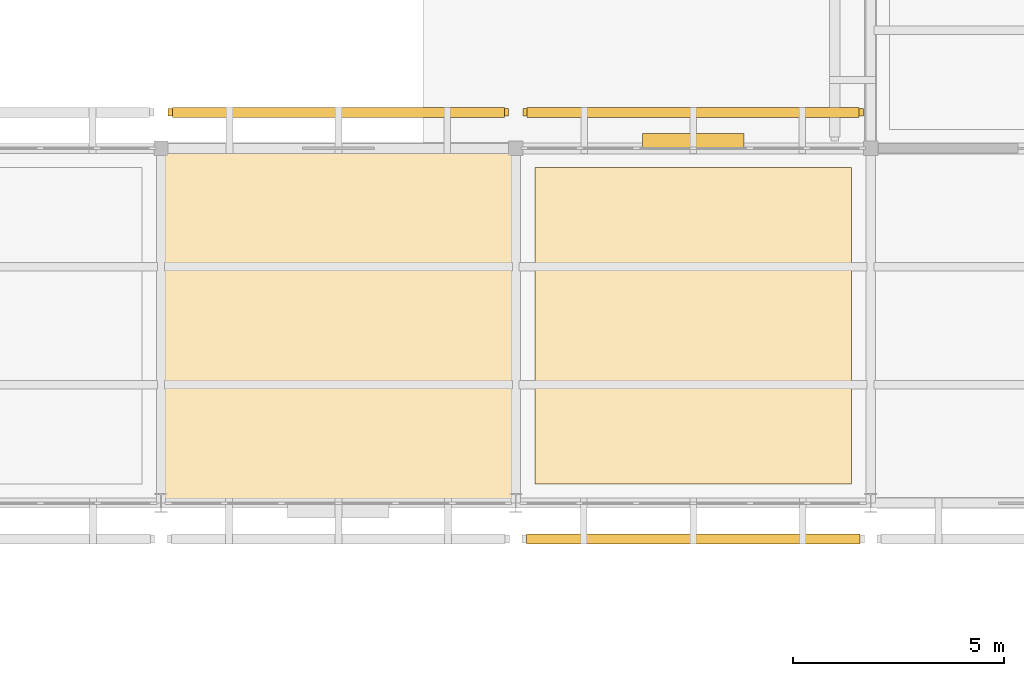
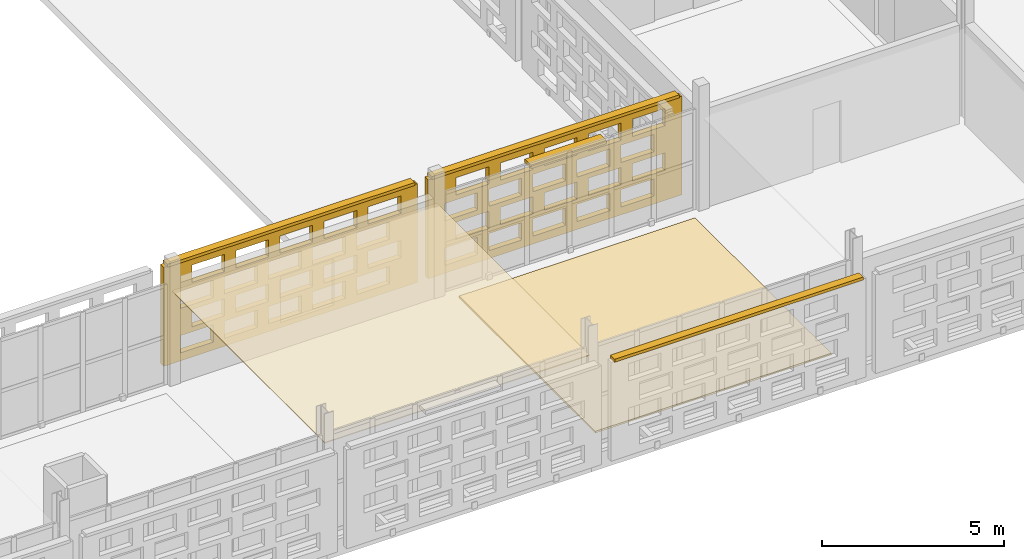
# One storey, part 124 of 140: 4 coverings, 4 shading devices, 40 openings.
"""IFC4 building model written with IfcOpenShell, lengths in metres."""

from ifc_helpers import new_model, si_unit, direction, frame, frame_2d, origin, origin_2d, place, context, subcontext, project, spatial, rectangle, extrude, material, layer, layer_set, type_object, element, save


model = new_model("IFC4")

# Units and contexts
model_context = context("Model", 3, precision=1e-05, world=origin(), true_north=direction((0.0, 1.0)))
body_context = subcontext(model_context, "Body", "Model", "MODEL_VIEW")
ifc_project = project(units=[si_unit("LENGTHUNIT", "METRE"), si_unit("AREAUNIT", "SQUARE_METRE"), si_unit("VOLUMEUNIT", "CUBIC_METRE"), si_unit("PLANEANGLEUNIT", "RADIAN"), si_unit("MASSUNIT", "GRAM", prefix="KILO")], contexts=[model_context])

# Site, building, storey
site_placement = place(None, origin())
site = spatial("IfcSite", under=ifc_project, at=site_placement, CompositionType="ELEMENT")
building_placement = place(site_placement, origin())
building = spatial("IfcBuilding", under=site, at=building_placement, Name="Varnapada Polytechnic", CompositionType="ELEMENT")
storey_placement = place(building_placement, frame((0.0, 0.0, 13.800048828125)))
storey = spatial("IfcBuildingStorey", under=building, at=storey_placement, Name="L03", CompositionType="ELEMENT", Elevation=13.800048828125)

# Covering
ifc_material_1 = material(Name="Anti-Static Raised Laboratory Flooring")
ifc_layer_1 = layer(ifc_material_1, 0.06005859375)
ifc_layer_set_1 = layer_set([ifc_layer_1], Name="Anti-Static Raised Laboratory Flooring")
covering_type_1 = type_object("IfcCoveringType", Name="Floor Finish FLR-02", PredefinedType="FLOORING", material=ifc_layer_set_1)
covering_1_placement = place(storey_placement, frame((121.800048828125, 88.199951171875, 0.0), z_axis=(0.0, 0.0, 1.0), x_axis=(1.0, 0.0, 0.0)))
element("IfcCovering", 1, at=covering_1_placement, inside=storey, type_object=covering_type_1, Name="L03 floor finish panel (15,11)", PredefinedType="FLOORING", context=body_context, shape_type="SweptSolid", body=[
    extrude(rectangle(XDim=7.5, YDim=7.5, at=origin_2d()), origin(), (0.0, 0.0, 1.0), 0.06005859375),
])

# Shading device
ifc_material_2 = material(Name="Anodised aluminium", Category="aluminium")
ifc_layer_2 = layer(ifc_material_2, 0.35009765625)
ifc_layer_set_2 = layer_set([ifc_layer_2], Name="Anodised aluminium")
shading_device_type_1 = type_object("IfcShadingDeviceType", Name="Solar Louvre LVR-01", PredefinedType="JALOUSIE", material=ifc_layer_set_2)
shading_device_1_placement = place(storey_placement, frame((121.800048828125, 92.580078125, 3.159912109375), z_axis=(0.0, 0.0, 1.0), x_axis=(1.0, 0.0, 0.0)))
element("IfcShadingDevice", 2, at=shading_device_1_placement, inside=storey, type_object=shading_device_type_1, Name="L03 aluminium sun louvre 67", PredefinedType="JALOUSIE", context=body_context, shape_type="SweptSolid", body=[
    extrude(rectangle(XDim=2.39990234375, YDim=0.340087890625, at=origin_2d()), origin(), (0.0, 0.0, 1.0), 0.1201171875),
])

# Covering
ifc_material_3 = material(Name="Moisture-Resistant Aluminum Baffle Ceiling", Category="aluminium")
ifc_layer_3 = layer(ifc_material_3, 0.030029296875)
ifc_layer_set_3 = layer_set([ifc_layer_3], Name="Moisture-Resistant Aluminum Baffle Ceiling")
covering_type_2 = type_object("IfcCoveringType", Name="Suspended Ceiling CLG-03", PredefinedType="CEILING", material=ifc_layer_set_3)
covering_2_placement = place(storey_placement, frame((113.39990234375, 88.199951171875, 3.03515625), z_axis=(0.0, 0.0, 1.0), x_axis=(1.0, 0.0, 0.0)))
element("IfcCovering", 3, at=covering_2_placement, inside=storey, type_object=covering_type_2, Name="L03 suspended acoustic ceiling (14,11)", PredefinedType="CEILING", context=body_context, shape_type="SweptSolid", body=[
    extrude(rectangle(XDim=8.419921875, YDim=8.419921875, at=origin_2d()), origin(), (0.0, 0.0, 1.0), 0.030029296875),
])

# Covering, openings
ifc_material_4 = material(Name="Earth-toned architectural terracotta screen block", Category="masonry")
ifc_layer_4 = layer(ifc_material_4, 0.1201171875)
ifc_layer_set_4 = layer_set([ifc_layer_4], Name="Earth-toned architectural terracotta screen block")
covering_type_3 = type_object("IfcCoveringType", Name="Terracotta Screen Cladding CLD-01", PredefinedType="CLADDING", material=ifc_layer_set_4)
covering_3_placement = place(storey_placement, frame((109.3701171875, 93.25, 0.0), z_axis=(0.0, 0.0, 1.0), x_axis=(1.0, 0.0, 0.0)))
covering_3 = element("IfcCovering", 4, at=covering_3_placement, inside=storey, type_object=covering_type_3, Name="L03 perforated terracotta block screen (65)", PredefinedType="CLADDING", context=body_context, shape_type="SweptSolid", body=[
    extrude(rectangle(XDim=8.059814453125, YDim=0.179931640625, at=frame_2d((4.02978515625, 0.0))), origin(), (0.0, 0.0, 1.0), 3.320068359375),
])
opening_1_placement = place(covering_3_placement, frame((0.530029296875, 0.0, 0.265625)))
element("IfcOpeningElement", 5, at=opening_1_placement, cuts=covering_3, Name="Screen perforation TBS-L03-064.1", PredefinedType="OPENING", context=body_context, shape_type="SweptSolid", body=[
    extrude(rectangle(XDim=1.0400390625, YDim=0.5810546875, at=frame_2d((0.52001953125, 0.29052734375))), frame((0.0, 0.099853515625, 0.0), z_axis=(0.0, -1.0, 0.0), x_axis=(1.0, 0.0, 0.0)), (0.0, 0.0, 1.0), 0.199951171875),
])
opening_2_placement = place(covering_3_placement, frame((1.929931640625, 0.0, 0.265625)))
element("IfcOpeningElement", 6, at=opening_2_placement, cuts=covering_3, Name="Screen perforation TBS-L03-064.2", PredefinedType="OPENING", context=body_context, shape_type="SweptSolid", body=[
    extrude(rectangle(XDim=1.0400390625, YDim=0.5810546875, at=frame_2d((0.52001953125, 0.29052734375))), frame((0.0, 0.099853515625, 0.0), z_axis=(0.0, -1.0, 0.0), x_axis=(1.0, 0.0, 0.0)), (0.0, 0.0, 1.0), 0.199951171875),
])
opening_3_placement = place(covering_3_placement, frame((3.330078125, 0.0, 0.265625)))
element("IfcOpeningElement", 7, at=opening_3_placement, cuts=covering_3, Name="Screen perforation TBS-L03-064.3", PredefinedType="OPENING", context=body_context, shape_type="SweptSolid", body=[
    extrude(rectangle(XDim=1.0400390625, YDim=0.5810546875, at=frame_2d((0.52001953125, 0.29052734375))), frame((0.0, 0.099853515625, 0.0), z_axis=(0.0, -1.0, 0.0), x_axis=(1.0, 0.0, 0.0)), (0.0, 0.0, 1.0), 0.199951171875),
])
opening_4_placement = place(covering_3_placement, frame((4.72998046875, 0.0, 0.265625)))
element("IfcOpeningElement", 8, at=opening_4_placement, cuts=covering_3, Name="Screen perforation TBS-L03-064.4", PredefinedType="OPENING", context=body_context, shape_type="SweptSolid", body=[
    extrude(rectangle(XDim=1.0400390625, YDim=0.5810546875, at=frame_2d((0.52001953125, 0.29052734375))), frame((0.0, 0.099853515625, 0.0), z_axis=(0.0, -1.0, 0.0), x_axis=(1.0, 0.0, 0.0)), (0.0, 0.0, 1.0), 0.199951171875),
])
opening_5_placement = place(covering_3_placement, frame((6.1298828125, 0.0, 0.265625)))
element("IfcOpeningElement", 9, at=opening_5_placement, cuts=covering_3, Name="Screen perforation TBS-L03-064.5", PredefinedType="OPENING", context=body_context, shape_type="SweptSolid", body=[
    extrude(rectangle(XDim=1.0400390625, YDim=0.5810546875, at=frame_2d((0.52001953125, 0.29052734375))), frame((0.0, 0.099853515625, 0.0), z_axis=(0.0, -1.0, 0.0), x_axis=(1.0, 0.0, 0.0)), (0.0, 0.0, 1.0), 0.199951171875),
])
opening_6_placement = place(covering_3_placement, frame((0.889892578125, 0.0, 1.0126953125)))
element("IfcOpeningElement", 10, at=opening_6_placement, cuts=covering_3, Name="Screen perforation TBS-L03-064.6", PredefinedType="OPENING", context=body_context, shape_type="SweptSolid", body=[
    extrude(rectangle(XDim=1.0400390625, YDim=0.5810546875, at=frame_2d((0.52001953125, 0.29052734375))), frame((0.0, 0.099853515625, 0.0), z_axis=(0.0, -1.0, 0.0), x_axis=(1.0, 0.0, 0.0)), (0.0, 0.0, 1.0), 0.199951171875),
])
opening_7_placement = place(covering_3_placement, frame((2.2900390625, 0.0, 1.0126953125)))
element("IfcOpeningElement", 11, at=opening_7_placement, cuts=covering_3, Name="Screen perforation TBS-L03-064.7", PredefinedType="OPENING", context=body_context, shape_type="SweptSolid", body=[
    extrude(rectangle(XDim=1.0400390625, YDim=0.5810546875, at=frame_2d((0.52001953125, 0.29052734375))), frame((0.0, 0.099853515625, 0.0), z_axis=(0.0, -1.0, 0.0), x_axis=(1.0, 0.0, 0.0)), (0.0, 0.0, 1.0), 0.199951171875),
])
opening_8_placement = place(covering_3_placement, frame((3.68994140625, 0.0, 1.0126953125)))
element("IfcOpeningElement", 12, at=opening_8_placement, cuts=covering_3, Name="Screen perforation TBS-L03-064.8", PredefinedType="OPENING", context=body_context, shape_type="SweptSolid", body=[
    extrude(rectangle(XDim=1.0400390625, YDim=0.5810546875, at=frame_2d((0.52001953125, 0.29052734375))), frame((0.0, 0.099853515625, 0.0), z_axis=(0.0, -1.0, 0.0), x_axis=(1.0, 0.0, 0.0)), (0.0, 0.0, 1.0), 0.199951171875),
])
opening_9_placement = place(covering_3_placement, frame((5.090087890625, 0.0, 1.0126953125)))
element("IfcOpeningElement", 13, at=opening_9_placement, cuts=covering_3, Name="Screen perforation TBS-L03-064.9", PredefinedType="OPENING", context=body_context, shape_type="SweptSolid", body=[
    extrude(rectangle(XDim=1.0400390625, YDim=0.5810546875, at=frame_2d((0.52001953125, 0.29052734375))), frame((0.0, 0.099853515625, 0.0), z_axis=(0.0, -1.0, 0.0), x_axis=(1.0, 0.0, 0.0)), (0.0, 0.0, 1.0), 0.199951171875),
])
opening_10_placement = place(covering_3_placement, frame((6.489990234375, 0.0, 1.0126953125)))
element("IfcOpeningElement", 14, at=opening_10_placement, cuts=covering_3, Name="Screen perforation TBS-L03-064.10", PredefinedType="OPENING", context=body_context, shape_type="SweptSolid", body=[
    extrude(rectangle(XDim=1.0400390625, YDim=0.5810546875, at=frame_2d((0.52001953125, 0.29052734375))), frame((0.0, 0.099853515625, 0.0), z_axis=(0.0, -1.0, 0.0), x_axis=(1.0, 0.0, 0.0)), (0.0, 0.0, 1.0), 0.199951171875),
])
opening_11_placement = place(covering_3_placement, frame((0.530029296875, 0.0, 1.759521484375)))
element("IfcOpeningElement", 15, at=opening_11_placement, cuts=covering_3, Name="Screen perforation TBS-L03-064.11", PredefinedType="OPENING", context=body_context, shape_type="SweptSolid", body=[
    extrude(rectangle(XDim=1.0400390625, YDim=0.5810546875, at=frame_2d((0.52001953125, 0.29052734375))), frame((0.0, 0.099853515625, 0.0), z_axis=(0.0, -1.0, 0.0), x_axis=(1.0, 0.0, 0.0)), (0.0, 0.0, 1.0), 0.199951171875),
])
opening_12_placement = place(covering_3_placement, frame((1.929931640625, 0.0, 1.759521484375)))
element("IfcOpeningElement", 16, at=opening_12_placement, cuts=covering_3, Name="Screen perforation TBS-L03-064.12", PredefinedType="OPENING", context=body_context, shape_type="SweptSolid", body=[
    extrude(rectangle(XDim=1.0400390625, YDim=0.5810546875, at=frame_2d((0.52001953125, 0.29052734375))), frame((0.0, 0.099853515625, 0.0), z_axis=(0.0, -1.0, 0.0), x_axis=(1.0, 0.0, 0.0)), (0.0, 0.0, 1.0), 0.199951171875),
])
opening_13_placement = place(covering_3_placement, frame((3.330078125, 0.0, 1.759521484375)))
element("IfcOpeningElement", 17, at=opening_13_placement, cuts=covering_3, Name="Screen perforation TBS-L03-064.13", PredefinedType="OPENING", context=body_context, shape_type="SweptSolid", body=[
    extrude(rectangle(XDim=1.0400390625, YDim=0.5810546875, at=frame_2d((0.52001953125, 0.29052734375))), frame((0.0, 0.099853515625, 0.0), z_axis=(0.0, -1.0, 0.0), x_axis=(1.0, 0.0, 0.0)), (0.0, 0.0, 1.0), 0.199951171875),
])
opening_14_placement = place(covering_3_placement, frame((4.72998046875, 0.0, 1.759521484375)))
element("IfcOpeningElement", 18, at=opening_14_placement, cuts=covering_3, Name="Screen perforation TBS-L03-064.14", PredefinedType="OPENING", context=body_context, shape_type="SweptSolid", body=[
    extrude(rectangle(XDim=1.0400390625, YDim=0.5810546875, at=frame_2d((0.52001953125, 0.29052734375))), frame((0.0, 0.099853515625, 0.0), z_axis=(0.0, -1.0, 0.0), x_axis=(1.0, 0.0, 0.0)), (0.0, 0.0, 1.0), 0.199951171875),
])
opening_15_placement = place(covering_3_placement, frame((6.1298828125, 0.0, 1.759521484375)))
element("IfcOpeningElement", 19, at=opening_15_placement, cuts=covering_3, Name="Screen perforation TBS-L03-064.15", PredefinedType="OPENING", context=body_context, shape_type="SweptSolid", body=[
    extrude(rectangle(XDim=1.0400390625, YDim=0.5810546875, at=frame_2d((0.52001953125, 0.29052734375))), frame((0.0, 0.099853515625, 0.0), z_axis=(0.0, -1.0, 0.0), x_axis=(1.0, 0.0, 0.0)), (0.0, 0.0, 1.0), 0.199951171875),
])
opening_16_placement = place(covering_3_placement, frame((0.889892578125, 0.0, 2.506591796875)))
element("IfcOpeningElement", 20, at=opening_16_placement, cuts=covering_3, Name="Screen perforation TBS-L03-064.16", PredefinedType="OPENING", context=body_context, shape_type="SweptSolid", body=[
    extrude(rectangle(XDim=1.0400390625, YDim=0.5810546875, at=frame_2d((0.52001953125, 0.29052734375))), frame((0.0, 0.099853515625, 0.0), z_axis=(0.0, -1.0, 0.0), x_axis=(1.0, 0.0, 0.0)), (0.0, 0.0, 1.0), 0.199951171875),
])
opening_17_placement = place(covering_3_placement, frame((2.2900390625, 0.0, 2.506591796875)))
element("IfcOpeningElement", 21, at=opening_17_placement, cuts=covering_3, Name="Screen perforation TBS-L03-064.17", PredefinedType="OPENING", context=body_context, shape_type="SweptSolid", body=[
    extrude(rectangle(XDim=1.0400390625, YDim=0.5810546875, at=frame_2d((0.52001953125, 0.29052734375))), frame((0.0, 0.099853515625, 0.0), z_axis=(0.0, -1.0, 0.0), x_axis=(1.0, 0.0, 0.0)), (0.0, 0.0, 1.0), 0.199951171875),
])
opening_18_placement = place(covering_3_placement, frame((3.68994140625, 0.0, 2.506591796875)))
element("IfcOpeningElement", 22, at=opening_18_placement, cuts=covering_3, Name="Screen perforation TBS-L03-064.18", PredefinedType="OPENING", context=body_context, shape_type="SweptSolid", body=[
    extrude(rectangle(XDim=1.0400390625, YDim=0.5810546875, at=frame_2d((0.52001953125, 0.29052734375))), frame((0.0, 0.099853515625, 0.0), z_axis=(0.0, -1.0, 0.0), x_axis=(1.0, 0.0, 0.0)), (0.0, 0.0, 1.0), 0.199951171875),
])
opening_19_placement = place(covering_3_placement, frame((5.090087890625, 0.0, 2.506591796875)))
element("IfcOpeningElement", 23, at=opening_19_placement, cuts=covering_3, Name="Screen perforation TBS-L03-064.19", PredefinedType="OPENING", context=body_context, shape_type="SweptSolid", body=[
    extrude(rectangle(XDim=1.0400390625, YDim=0.5810546875, at=frame_2d((0.52001953125, 0.29052734375))), frame((0.0, 0.099853515625, 0.0), z_axis=(0.0, -1.0, 0.0), x_axis=(1.0, 0.0, 0.0)), (0.0, 0.0, 1.0), 0.199951171875),
])
opening_20_placement = place(covering_3_placement, frame((6.489990234375, 0.0, 2.506591796875)))
element("IfcOpeningElement", 24, at=opening_20_placement, cuts=covering_3, Name="Screen perforation TBS-L03-064.20", PredefinedType="OPENING", context=body_context, shape_type="SweptSolid", body=[
    extrude(rectangle(XDim=1.0400390625, YDim=0.5810546875, at=frame_2d((0.52001953125, 0.29052734375))), frame((0.0, 0.099853515625, 0.0), z_axis=(0.0, -1.0, 0.0), x_axis=(1.0, 0.0, 0.0)), (0.0, 0.0, 1.0), 0.199951171875),
])

covering_4_placement = place(storey_placement, frame((117.77001953125, 93.25, 0.0), z_axis=(0.0, 0.0, 1.0), x_axis=(1.0, 0.0, 0.0)))
covering_4 = element("IfcCovering", 25, at=covering_4_placement, inside=storey, type_object=covering_type_3, Name="L03 perforated terracotta block screen (67)", PredefinedType="CLADDING", context=body_context, shape_type="SweptSolid", body=[
    extrude(rectangle(XDim=8.06005859375, YDim=0.179931640625, at=frame_2d((4.030029296875, 0.0))), origin(), (0.0, 0.0, 1.0), 3.320068359375),
])
opening_21_placement = place(covering_4_placement, frame((0.530029296875, 0.0, 0.265625)))
element("IfcOpeningElement", 26, at=opening_21_placement, cuts=covering_4, Name="Screen perforation TBS-L03-066.1", PredefinedType="OPENING", context=body_context, shape_type="SweptSolid", body=[
    extrude(rectangle(XDim=1.0400390625, YDim=0.5810546875, at=frame_2d((0.52001953125, 0.29052734375))), frame((0.0, 0.099853515625, 0.0), z_axis=(0.0, -1.0, 0.0), x_axis=(1.0, 0.0, 0.0)), (0.0, 0.0, 1.0), 0.199951171875),
])
opening_22_placement = place(covering_4_placement, frame((1.929931640625, 0.0, 0.265625)))
element("IfcOpeningElement", 27, at=opening_22_placement, cuts=covering_4, Name="Screen perforation TBS-L03-066.2", PredefinedType="OPENING", context=body_context, shape_type="SweptSolid", body=[
    extrude(rectangle(XDim=1.0400390625, YDim=0.5810546875, at=frame_2d((0.52001953125, 0.29052734375))), frame((0.0, 0.099853515625, 0.0), z_axis=(0.0, -1.0, 0.0), x_axis=(1.0, 0.0, 0.0)), (0.0, 0.0, 1.0), 0.199951171875),
])
opening_23_placement = place(covering_4_placement, frame((3.330078125, 0.0, 0.265625)))
element("IfcOpeningElement", 28, at=opening_23_placement, cuts=covering_4, Name="Screen perforation TBS-L03-066.3", PredefinedType="OPENING", context=body_context, shape_type="SweptSolid", body=[
    extrude(rectangle(XDim=1.0400390625, YDim=0.5810546875, at=frame_2d((0.52001953125, 0.29052734375))), frame((0.0, 0.099853515625, 0.0), z_axis=(0.0, -1.0, 0.0), x_axis=(1.0, 0.0, 0.0)), (0.0, 0.0, 1.0), 0.199951171875),
])
opening_24_placement = place(covering_4_placement, frame((4.72998046875, 0.0, 0.265625)))
element("IfcOpeningElement", 29, at=opening_24_placement, cuts=covering_4, Name="Screen perforation TBS-L03-066.4", PredefinedType="OPENING", context=body_context, shape_type="SweptSolid", body=[
    extrude(rectangle(XDim=1.0400390625, YDim=0.5810546875, at=frame_2d((0.52001953125, 0.29052734375))), frame((0.0, 0.099853515625, 0.0), z_axis=(0.0, -1.0, 0.0), x_axis=(1.0, 0.0, 0.0)), (0.0, 0.0, 1.0), 0.199951171875),
])
opening_25_placement = place(covering_4_placement, frame((6.1298828125, 0.0, 0.265625)))
element("IfcOpeningElement", 30, at=opening_25_placement, cuts=covering_4, Name="Screen perforation TBS-L03-066.5", PredefinedType="OPENING", context=body_context, shape_type="SweptSolid", body=[
    extrude(rectangle(XDim=1.0400390625, YDim=0.5810546875, at=frame_2d((0.52001953125, 0.29052734375))), frame((0.0, 0.099853515625, 0.0), z_axis=(0.0, -1.0, 0.0), x_axis=(1.0, 0.0, 0.0)), (0.0, 0.0, 1.0), 0.199951171875),
])
opening_26_placement = place(covering_4_placement, frame((0.889892578125, 0.0, 1.0126953125)))
element("IfcOpeningElement", 31, at=opening_26_placement, cuts=covering_4, Name="Screen perforation TBS-L03-066.6", PredefinedType="OPENING", context=body_context, shape_type="SweptSolid", body=[
    extrude(rectangle(XDim=1.0400390625, YDim=0.5810546875, at=frame_2d((0.52001953125, 0.29052734375))), frame((0.0, 0.099853515625, 0.0), z_axis=(0.0, -1.0, 0.0), x_axis=(1.0, 0.0, 0.0)), (0.0, 0.0, 1.0), 0.199951171875),
])
opening_27_placement = place(covering_4_placement, frame((2.2900390625, 0.0, 1.0126953125)))
element("IfcOpeningElement", 32, at=opening_27_placement, cuts=covering_4, Name="Screen perforation TBS-L03-066.7", PredefinedType="OPENING", context=body_context, shape_type="SweptSolid", body=[
    extrude(rectangle(XDim=1.0400390625, YDim=0.5810546875, at=frame_2d((0.52001953125, 0.29052734375))), frame((0.0, 0.099853515625, 0.0), z_axis=(0.0, -1.0, 0.0), x_axis=(1.0, 0.0, 0.0)), (0.0, 0.0, 1.0), 0.199951171875),
])
opening_28_placement = place(covering_4_placement, frame((3.68994140625, 0.0, 1.0126953125)))
element("IfcOpeningElement", 33, at=opening_28_placement, cuts=covering_4, Name="Screen perforation TBS-L03-066.8", PredefinedType="OPENING", context=body_context, shape_type="SweptSolid", body=[
    extrude(rectangle(XDim=1.0400390625, YDim=0.5810546875, at=frame_2d((0.52001953125, 0.29052734375))), frame((0.0, 0.099853515625, 0.0), z_axis=(0.0, -1.0, 0.0), x_axis=(1.0, 0.0, 0.0)), (0.0, 0.0, 1.0), 0.199951171875),
])
opening_29_placement = place(covering_4_placement, frame((5.090087890625, 0.0, 1.0126953125)))
element("IfcOpeningElement", 34, at=opening_29_placement, cuts=covering_4, Name="Screen perforation TBS-L03-066.9", PredefinedType="OPENING", context=body_context, shape_type="SweptSolid", body=[
    extrude(rectangle(XDim=1.0400390625, YDim=0.5810546875, at=frame_2d((0.52001953125, 0.29052734375))), frame((0.0, 0.099853515625, 0.0), z_axis=(0.0, -1.0, 0.0), x_axis=(1.0, 0.0, 0.0)), (0.0, 0.0, 1.0), 0.199951171875),
])
opening_30_placement = place(covering_4_placement, frame((6.489990234375, 0.0, 1.0126953125)))
element("IfcOpeningElement", 35, at=opening_30_placement, cuts=covering_4, Name="Screen perforation TBS-L03-066.10", PredefinedType="OPENING", context=body_context, shape_type="SweptSolid", body=[
    extrude(rectangle(XDim=1.0400390625, YDim=0.5810546875, at=frame_2d((0.52001953125, 0.29052734375))), frame((0.0, 0.099853515625, 0.0), z_axis=(0.0, -1.0, 0.0), x_axis=(1.0, 0.0, 0.0)), (0.0, 0.0, 1.0), 0.199951171875),
])
opening_31_placement = place(covering_4_placement, frame((0.530029296875, 0.0, 1.759521484375)))
element("IfcOpeningElement", 36, at=opening_31_placement, cuts=covering_4, Name="Screen perforation TBS-L03-066.11", PredefinedType="OPENING", context=body_context, shape_type="SweptSolid", body=[
    extrude(rectangle(XDim=1.0400390625, YDim=0.5810546875, at=frame_2d((0.52001953125, 0.29052734375))), frame((0.0, 0.099853515625, 0.0), z_axis=(0.0, -1.0, 0.0), x_axis=(1.0, 0.0, 0.0)), (0.0, 0.0, 1.0), 0.199951171875),
])
opening_32_placement = place(covering_4_placement, frame((1.929931640625, 0.0, 1.759521484375)))
element("IfcOpeningElement", 37, at=opening_32_placement, cuts=covering_4, Name="Screen perforation TBS-L03-066.12", PredefinedType="OPENING", context=body_context, shape_type="SweptSolid", body=[
    extrude(rectangle(XDim=1.0400390625, YDim=0.5810546875, at=frame_2d((0.52001953125, 0.29052734375))), frame((0.0, 0.099853515625, 0.0), z_axis=(0.0, -1.0, 0.0), x_axis=(1.0, 0.0, 0.0)), (0.0, 0.0, 1.0), 0.199951171875),
])
opening_33_placement = place(covering_4_placement, frame((3.330078125, 0.0, 1.759521484375)))
element("IfcOpeningElement", 38, at=opening_33_placement, cuts=covering_4, Name="Screen perforation TBS-L03-066.13", PredefinedType="OPENING", context=body_context, shape_type="SweptSolid", body=[
    extrude(rectangle(XDim=1.0400390625, YDim=0.5810546875, at=frame_2d((0.52001953125, 0.29052734375))), frame((0.0, 0.099853515625, 0.0), z_axis=(0.0, -1.0, 0.0), x_axis=(1.0, 0.0, 0.0)), (0.0, 0.0, 1.0), 0.199951171875),
])
opening_34_placement = place(covering_4_placement, frame((4.72998046875, 0.0, 1.759521484375)))
element("IfcOpeningElement", 39, at=opening_34_placement, cuts=covering_4, Name="Screen perforation TBS-L03-066.14", PredefinedType="OPENING", context=body_context, shape_type="SweptSolid", body=[
    extrude(rectangle(XDim=1.0400390625, YDim=0.5810546875, at=frame_2d((0.52001953125, 0.29052734375))), frame((0.0, 0.099853515625, 0.0), z_axis=(0.0, -1.0, 0.0), x_axis=(1.0, 0.0, 0.0)), (0.0, 0.0, 1.0), 0.199951171875),
])
opening_35_placement = place(covering_4_placement, frame((6.1298828125, 0.0, 1.759521484375)))
element("IfcOpeningElement", 40, at=opening_35_placement, cuts=covering_4, Name="Screen perforation TBS-L03-066.15", PredefinedType="OPENING", context=body_context, shape_type="SweptSolid", body=[
    extrude(rectangle(XDim=1.0400390625, YDim=0.5810546875, at=frame_2d((0.52001953125, 0.29052734375))), frame((0.0, 0.099853515625, 0.0), z_axis=(0.0, -1.0, 0.0), x_axis=(1.0, 0.0, 0.0)), (0.0, 0.0, 1.0), 0.199951171875),
])
opening_36_placement = place(covering_4_placement, frame((0.889892578125, 0.0, 2.506591796875)))
element("IfcOpeningElement", 41, at=opening_36_placement, cuts=covering_4, Name="Screen perforation TBS-L03-066.16", PredefinedType="OPENING", context=body_context, shape_type="SweptSolid", body=[
    extrude(rectangle(XDim=1.0400390625, YDim=0.5810546875, at=frame_2d((0.52001953125, 0.29052734375))), frame((0.0, 0.099853515625, 0.0), z_axis=(0.0, -1.0, 0.0), x_axis=(1.0, 0.0, 0.0)), (0.0, 0.0, 1.0), 0.199951171875),
])
opening_37_placement = place(covering_4_placement, frame((2.2900390625, 0.0, 2.506591796875)))
element("IfcOpeningElement", 42, at=opening_37_placement, cuts=covering_4, Name="Screen perforation TBS-L03-066.17", PredefinedType="OPENING", context=body_context, shape_type="SweptSolid", body=[
    extrude(rectangle(XDim=1.0400390625, YDim=0.5810546875, at=frame_2d((0.52001953125, 0.29052734375))), frame((0.0, 0.099853515625, 0.0), z_axis=(0.0, -1.0, 0.0), x_axis=(1.0, 0.0, 0.0)), (0.0, 0.0, 1.0), 0.199951171875),
])
opening_38_placement = place(covering_4_placement, frame((3.68994140625, 0.0, 2.506591796875)))
element("IfcOpeningElement", 43, at=opening_38_placement, cuts=covering_4, Name="Screen perforation TBS-L03-066.18", PredefinedType="OPENING", context=body_context, shape_type="SweptSolid", body=[
    extrude(rectangle(XDim=1.0400390625, YDim=0.5810546875, at=frame_2d((0.52001953125, 0.29052734375))), frame((0.0, 0.099853515625, 0.0), z_axis=(0.0, -1.0, 0.0), x_axis=(1.0, 0.0, 0.0)), (0.0, 0.0, 1.0), 0.199951171875),
])
opening_39_placement = place(covering_4_placement, frame((5.090087890625, 0.0, 2.506591796875)))
element("IfcOpeningElement", 44, at=opening_39_placement, cuts=covering_4, Name="Screen perforation TBS-L03-066.19", PredefinedType="OPENING", context=body_context, shape_type="SweptSolid", body=[
    extrude(rectangle(XDim=1.0400390625, YDim=0.5810546875, at=frame_2d((0.52001953125, 0.29052734375))), frame((0.0, 0.099853515625, 0.0), z_axis=(0.0, -1.0, 0.0), x_axis=(1.0, 0.0, 0.0)), (0.0, 0.0, 1.0), 0.199951171875),
])
opening_40_placement = place(covering_4_placement, frame((6.489990234375, 0.0, 2.506591796875)))
element("IfcOpeningElement", 45, at=opening_40_placement, cuts=covering_4, Name="Screen perforation TBS-L03-066.20", PredefinedType="OPENING", context=body_context, shape_type="SweptSolid", body=[
    extrude(rectangle(XDim=1.0400390625, YDim=0.5810546875, at=frame_2d((0.52001953125, 0.29052734375))), frame((0.0, 0.099853515625, 0.0), z_axis=(0.0, -1.0, 0.0), x_axis=(1.0, 0.0, 0.0)), (0.0, 0.0, 1.0), 0.199951171875),
])

# Shading devices
ifc_layer_5 = layer(ifc_material_4, 0.179931640625)
ifc_layer_set_5 = layer_set([ifc_layer_5], Name="Earth-toned architectural terracotta screen block")
shading_device_type_2 = type_object("IfcShadingDeviceType", Name="Terracotta Screen SCR-01", PredefinedType="USERDEFINED", material=ifc_layer_set_5)
shading_device_2_placement = place(storey_placement, frame((113.39990234375, 93.25, 3.309814453125), z_axis=(0.0, 0.0, 1.0), x_axis=(1.0, 0.0, 0.0)))
element("IfcShadingDevice", 46, at=shading_device_2_placement, inside=storey, type_object=shading_device_type_2, Name="L03 perforated terracotta screen hood 395", ObjectType="SCREEN", PredefinedType="USERDEFINED", context=body_context, shape_type="SweptSolid", body=[
    extrude(rectangle(XDim=7.860107421875, YDim=0.239990234375, at=origin_2d()), origin(), (0.0, 0.0, 1.0), 0.10009765625),
])
shading_device_3_placement = place(storey_placement, frame((121.800048828125, 83.14990234375, 3.309814453125), z_axis=(0.0, 0.0, 1.0), x_axis=(-1.0, 0.0, 0.0)))
element("IfcShadingDevice", 47, at=shading_device_3_placement, inside=storey, type_object=shading_device_type_2, Name="L03 perforated terracotta screen hood 396", ObjectType="SCREEN", PredefinedType="USERDEFINED", context=body_context, shape_type="SweptSolid", body=[
    extrude(rectangle(XDim=7.89990234375, YDim=0.239990234375, at=origin_2d()), origin(), (0.0, 0.0, 1.0), 0.10009765625),
])
shading_device_4_placement = place(storey_placement, frame((121.800048828125, 93.25, 3.309814453125), z_axis=(0.0, 0.0, 1.0), x_axis=(1.0, 0.0, 0.0)))
element("IfcShadingDevice", 48, at=shading_device_4_placement, inside=storey, type_object=shading_device_type_2, Name="L03 perforated terracotta screen hood 397", ObjectType="SCREEN", PredefinedType="USERDEFINED", context=body_context, shape_type="SweptSolid", body=[
    extrude(rectangle(XDim=7.860107421875, YDim=0.239990234375, at=origin_2d()), origin(), (0.0, 0.0, 1.0), 0.10009765625),
])

save(model, "model.ifc")
